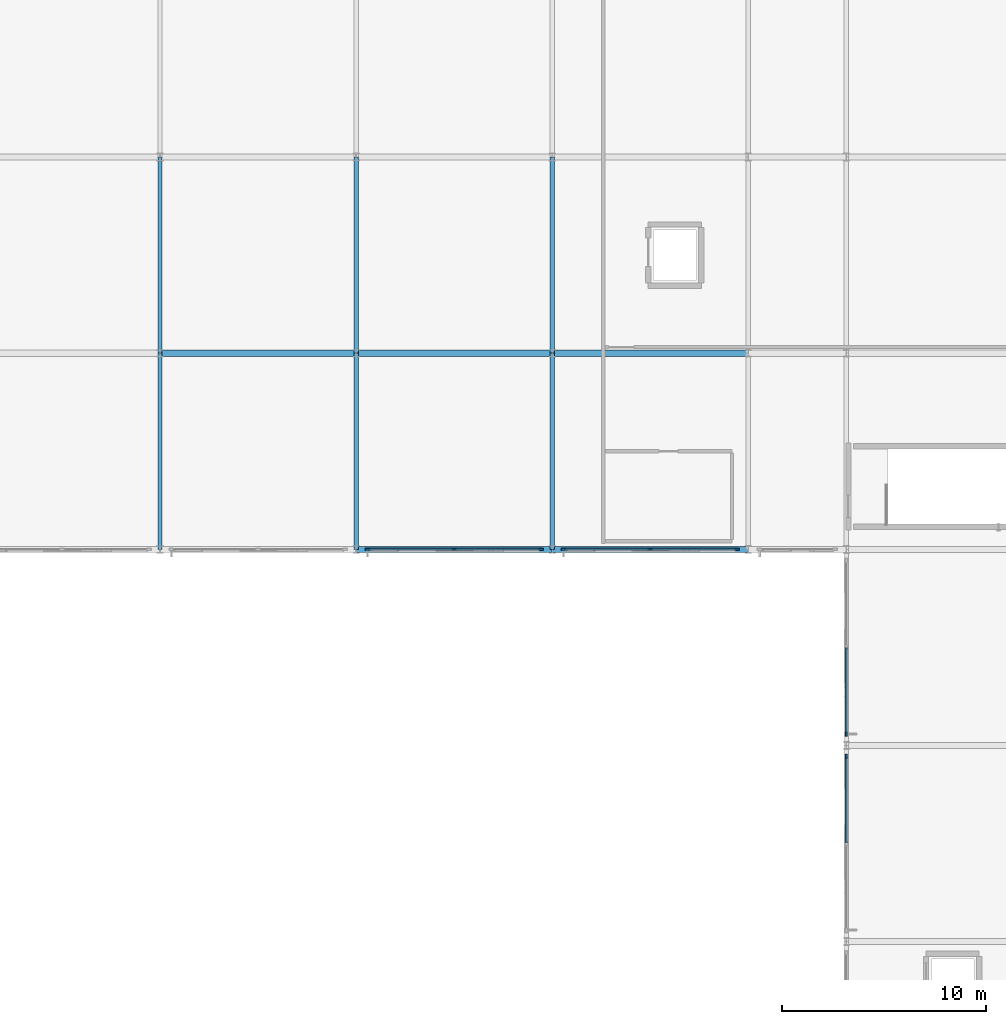
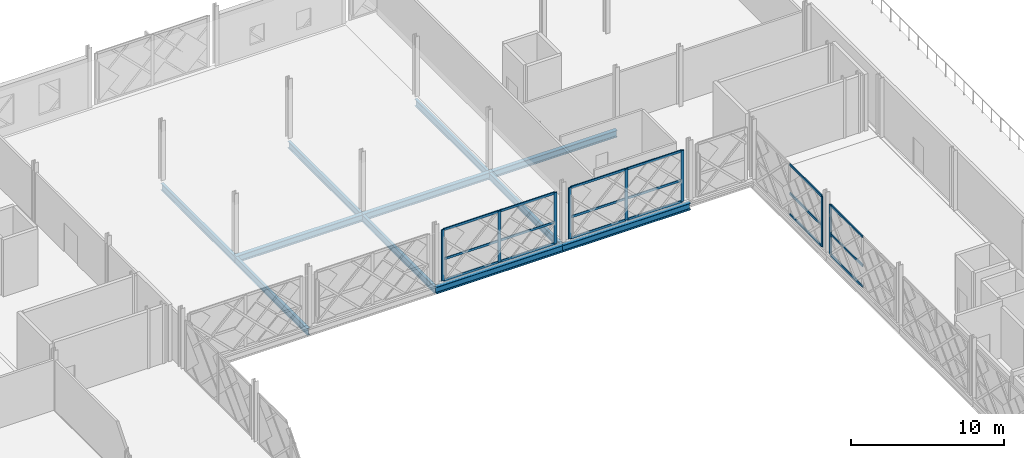
# One storey, part 29 of 77: 26 members, 11 beams, 4 elements without a shape of their own.
"""IFC4 building model written with IfcOpenShell, lengths in metres."""

import ifcopenshell
import ifcopenshell.guid

model = None  # the IFC model being written
_history = None  # IfcOwnerHistory: only IFC2X3 demands one
_inside = {}  # id of a spatial element -> (the spatial element, [elements in it])
_under = {}  # id of a project, library or spatial element -> (it, [spatial elements below it])
_declared = {}  # id of a project -> (the project, [libraries it declares])
_typed = {}  # id of a type object -> (the type object, [elements of that type])
_made_of = {}  # id of a material, layer set ... -> (it, [elements and type objects made of it])


def new_model(schema):
    """Start an empty IFC model of exactly this schema.

    Asked for "IFC4X3", IfcOpenShell would pick the latest addendum, in which some entities
    have other attributes; the version numbers below select the first issue.
    IFC2X3 requires an IfcOwnerHistory on every rooted entity: one is made here for all.
    """
    global model, _history
    if schema == "IFC4X3":
        model = ifcopenshell.file(schema_version=(4, 3, 0, 0))
    else:
        model = ifcopenshell.file(schema=schema)
    _inside.clear()
    _under.clear()
    _declared.clear()
    _typed.clear()
    _made_of.clear()
    _history = None
    if model.schema == "IFC2X3":
        org = make("IfcOrganization", Name="unknown")
        user = make(
            "IfcPersonAndOrganization",
            ThePerson=make("IfcPerson", FamilyName="unknown"),
            TheOrganization=org,
        )
        app = make(
            "IfcApplication",
            ApplicationDeveloper=org,
            Version="unknown",
            ApplicationFullName="unknown",
            ApplicationIdentifier="unknown",
        )
        _history = make(
            "IfcOwnerHistory",
            OwningUser=user,
            OwningApplication=app,
            ChangeAction="ADDED",
            CreationDate=0,
        )
    return model


def make(cls, **values):
    """One entity of the class cls with the attributes given. An attribute that is None is left unset."""
    return model.create_entity(
        cls, **{name: value for name, value in values.items() if value is not None}
    )


def rooted(cls, **values):
    """An entity with a GlobalId (a new one), such as an element, a storey or a relation."""
    return make(cls, GlobalId=ifcopenshell.guid.new(), OwnerHistory=_history, **values)


def si_unit(unit_type, name, prefix=None):
    """IfcSIUnit, for example si_unit("LENGTHUNIT", "METRE", prefix="MILLI")."""
    return make("IfcSIUnit", UnitType=unit_type, Prefix=prefix, Name=name)


def assignment(units):
    """IfcUnitAssignment: the units of a project."""
    return None if units is None else make("IfcUnitAssignment", Units=units)


def point(xyz):
    """IfcCartesianPoint."""
    return None if xyz is None else make("IfcCartesianPoint", Coordinates=xyz)


def direction(xyz):
    """IfcDirection."""
    return None if xyz is None else make("IfcDirection", DirectionRatios=xyz)


def frame(location, z_axis=None, x_axis=None):
    """IfcAxis2Placement3D, a coordinate frame: its origin and axes. An axis left out is left unset."""
    return make(
        "IfcAxis2Placement3D",
        Location=point(location),
        Axis=direction(z_axis),
        RefDirection=direction(x_axis),
    )


def frame_2d(location, x_axis=None):
    """IfcAxis2Placement2D, a coordinate frame in the plane: its origin and x axis."""
    return make(
        "IfcAxis2Placement2D", Location=point(location), RefDirection=direction(x_axis)
    )


def origin():
    """The frame at (0, 0, 0) with its axes left unset."""
    return frame((0.0, 0.0, 0.0))


def origin_2d():
    """The frame at (0, 0) in the plane with its x axis left unset."""
    return frame_2d((0.0, 0.0))


def place(relative_to, where):
    """IfcLocalPlacement: puts the frame where relative to a parent placement (None: the world)."""
    return make(
        "IfcLocalPlacement", PlacementRelTo=relative_to, RelativePlacement=where
    )


def context(
    kind, dimensions, precision=None, world=None, true_north=None, identifier=None
):
    """IfcGeometricRepresentationContext, for example the 3D "Model" context."""
    return make(
        "IfcGeometricRepresentationContext",
        ContextIdentifier=identifier,
        ContextType=kind,
        CoordinateSpaceDimension=dimensions,
        Precision=precision,
        WorldCoordinateSystem=world,
        TrueNorth=true_north,
    )


def subcontext(parent, identifier, kind, view, scale=None):
    """IfcGeometricRepresentationSubContext, for example "Body" below "Model"."""
    return make(
        "IfcGeometricRepresentationSubContext",
        ContextIdentifier=identifier,
        ContextType=kind,
        ParentContext=parent,
        TargetScale=scale,
        TargetView=view,
    )


def project(units=None, contexts=None):
    """IfcProject with its units and contexts."""
    return rooted(
        "IfcProject",
        Name="project",
        RepresentationContexts=contexts,
        UnitsInContext=assignment(units),
    )


def spatial(cls, under=None, at=None, **own):
    """A site, building, storey or space (cls), placed at a placement, below another one or the project."""
    s = rooted(cls, ObjectPlacement=at, **own)
    if under is not None:
        _under.setdefault(under.id(), (under, []))[1].append(s)
    return s


def profile(cls, at=None, kind="AREA", **sizes):
    """A parametric profile (cls). Its sizes go by their IFC names, for example OverallWidth=200.0."""
    return make(cls, ProfileType=kind, Position=at, **sizes)


def rectangle(**sizes):
    """IfcRectangleProfileDef."""
    return profile("IfcRectangleProfileDef", **sizes)


def i_section(**sizes):
    """IfcIShapeProfileDef."""
    return profile("IfcIShapeProfileDef", **sizes)


def extrude(swept, where, along, depth):
    """IfcExtrudedAreaSolid: the profile swept, set in the frame where, extruded along a direction by depth."""
    return make(
        "IfcExtrudedAreaSolid",
        SweptArea=swept,
        Position=where,
        ExtrudedDirection=direction(along),
        Depth=depth,
    )


def shape(context_of_items, identifier, shape_type, items):
    """IfcShapeRepresentation: the items that make up one representation, for example the "Body"."""
    return make(
        "IfcShapeRepresentation",
        ContextOfItems=context_of_items,
        RepresentationIdentifier=identifier,
        RepresentationType=shape_type,
        Items=items,
    )


def material(Name=None, Category=None):
    """IfcMaterial."""
    return make("IfcMaterial", Name=Name, Category=Category)


def layer(
    of_material, thickness, ventilated=None, Name=None, Category=None, Priority=None
):
    """IfcMaterialLayer: one layer of a wall or slab, of a material (None: an air gap)."""
    return make(
        "IfcMaterialLayer",
        Material=of_material,
        LayerThickness=thickness,
        IsVentilated=ventilated,
        Name=Name,
        Category=Category,
        Priority=Priority,
    )


def layer_set(layers, Name=None):
    """IfcMaterialLayerSet."""
    return make("IfcMaterialLayerSet", MaterialLayers=layers, LayerSetName=Name)


def material_profile(
    of_material, cross_section, Name=None, Category=None, Priority=None
):
    """IfcMaterialProfile: a cross section and its material."""
    return make(
        "IfcMaterialProfile",
        Name=Name,
        Material=of_material,
        Profile=cross_section,
        Priority=Priority,
        Category=Category,
    )


def profile_set(profiles, Name=None, composite=None):
    """IfcMaterialProfileSet."""
    return make(
        "IfcMaterialProfileSet",
        Name=Name,
        MaterialProfiles=profiles,
        CompositeProfile=composite,
    )


def made_of(thing, what):
    """Note that an element or type object is made of a material, layer set ...; save() writes the relation."""
    if what is not None:
        _made_of.setdefault(what.id(), (what, []))[1].append(thing)
    return thing


def type_object(cls, material=None, **own):
    """A type object (cls), such as IfcWallType, which elements share."""
    return made_of(rooted(cls, **own), material)


def element(
    cls,
    number,
    at=None,
    inside=None,
    cuts=None,
    type_object=None,
    material=None,
    context=None,
    identifier="Body",
    shape_type=None,
    held_by="IfcProductDefinitionShape",
    body=None,
    shapes=None,
    **own,
):
    """One element of the class cls, such as IfcWall. Its Tag is "e" and its number.

    at: its placement. inside: the storey or other place that contains it. cuts: it is an
    opening in that element (IfcRelVoidsElement). A single representation is given by context,
    identifier, shape_type and body (its items); several are given by shapes. held_by: the class
    of the entity that holds the representations. save() writes the other relations.
    """
    e = rooted(cls, Tag="e%d" % number, ObjectPlacement=at, **own)
    if body is not None:
        shapes = [shape(context, identifier, shape_type, body)]
    if shapes is not None:
        e.Representation = make(held_by, Representations=shapes)
    if inside is not None:
        _inside.setdefault(inside.id(), (inside, []))[1].append(e)
    if cuts is not None:
        rooted(
            "IfcRelVoidsElement", RelatingBuildingElement=cuts, RelatedOpeningElement=e
        )
    if type_object is not None:
        _typed.setdefault(type_object.id(), (type_object, []))[1].append(e)
    return made_of(e, material)


def aggregate(whole, parts):
    """IfcRelAggregates: a whole, such as a stair, and the parts it consists of."""
    return rooted("IfcRelAggregates", RelatingObject=whole, RelatedObjects=parts)


def save(model, path):
    """Write the relations noted so far, then the file.

    IfcRelAggregates (storeys below a building ...), IfcRelContainedInSpatialStructure (elements
    in a storey), IfcRelDefinesByType, IfcRelAssociatesMaterial and IfcRelDeclares: one each for
    every whole, place, type object, material and project.
    """
    for whole, parts in _under.values():
        aggregate(whole, parts)
    for where, things in _inside.values():
        rooted(
            "IfcRelContainedInSpatialStructure",
            RelatedElements=things,
            RelatingStructure=where,
        )
    for kind, things in _typed.values():
        rooted("IfcRelDefinesByType", RelatedObjects=things, RelatingType=kind)
    for what, things in _made_of.values():
        rooted("IfcRelAssociatesMaterial", RelatedObjects=things, RelatingMaterial=what)
    for by, libraries in _declared.values():
        rooted("IfcRelDeclares", RelatingContext=by, RelatedDefinitions=libraries)
    model.write(path)


model = new_model("IFC4")

# Units and contexts
model_context = context("Model", 3, precision=1e-05, world=origin(), true_north=direction((0.0, 1.0)))
body_context = subcontext(model_context, "Body", "Model", "MODEL_VIEW")
ifc_project = project(units=[si_unit("LENGTHUNIT", "METRE"), si_unit("AREAUNIT", "SQUARE_METRE"), si_unit("VOLUMEUNIT", "CUBIC_METRE"), si_unit("PLANEANGLEUNIT", "RADIAN"), si_unit("MASSUNIT", "GRAM", prefix="KILO")], contexts=[model_context])

# Site, building, storey
site_placement = place(None, origin())
site = spatial("IfcSite", under=ifc_project, at=site_placement, CompositionType="ELEMENT")
building_placement = place(site_placement, origin())
building = spatial("IfcBuilding", under=site, at=building_placement, Name="Zevrakil Square Congress Hotel", CompositionType="ELEMENT")
storey_placement = place(building_placement, frame((0.0, 0.0, 9.89990234375)))
storey = spatial("IfcBuildingStorey", under=building, at=storey_placement, Name="L03", CompositionType="ELEMENT", Elevation=9.89990234375)

# Beams
ifc_material_1 = material(Name="Steel S355", Category="steel")
ifc_material_profile_1 = material_profile(ifc_material_1, i_section(OverallWidth=0.300048828125, OverallDepth=0.5400390625, WebThickness=0.012451171875, FlangeThickness=0.02392578125, FilletRadius=0.027099609375, at=origin_2d()), Name="HEA 550")
ifc_profile_set_1 = profile_set([ifc_material_profile_1], Name="Steel S355")
beam_type_1 = type_object("IfcBeamType", Name="BM-HEA550", PredefinedType="BEAM", material=ifc_profile_set_1)
beam_1_placement = place(storey_placement, frame((84.0, 84.0, -0.52978515625), z_axis=(1.0, 0.0, 0.0), x_axis=(0.0, 1.0, 0.0)))
element("IfcBeam", 1, at=beam_1_placement, inside=storey, type_object=beam_type_1, Name="L03 primary girder BX-1052", PredefinedType="BEAM", context=body_context, shape_type="SweptSolid", body=[
    extrude(i_section(OverallWidth=0.300048828125, OverallDepth=0.5400390625, WebThickness=0.012451171875, FlangeThickness=0.02392578125, FilletRadius=0.027099609375, at=origin_2d()), origin(), (0.0, 0.0, 1.0), 9.60009765625),
])
beam_2_placement = place(storey_placement, frame((93.60009765625, 84.0, -0.52978515625), z_axis=(1.0, 0.0, 0.0), x_axis=(0.0, 1.0, 0.0)))
element("IfcBeam", 2, at=beam_2_placement, inside=storey, type_object=beam_type_1, Name="L03 primary girder BX-1053", PredefinedType="BEAM", context=body_context, shape_type="SweptSolid", body=[
    extrude(i_section(OverallWidth=0.300048828125, OverallDepth=0.5400390625, WebThickness=0.012451171875, FlangeThickness=0.02392578125, FilletRadius=0.027099609375, at=origin_2d()), origin(), (0.0, 0.0, 1.0), 9.599853515625),
])
for number, where, z_axis, x_axis, name in (
    (3, (74.39990234375, 93.60009765625, -0.52978515625), (1.0, 0.0, 0.0), (0.0, 1.0, 0.0), "L03 primary girder BX-1059"),
    (4, (84.0, 93.60009765625, -0.52978515625), (1.0, 0.0, 0.0), (0.0, 1.0, 0.0), "L03 primary girder BX-1060"),
):
    element("IfcBeam", number, at=place(storey_placement, frame(where, z_axis=z_axis, x_axis=x_axis)), inside=storey, type_object=beam_type_1, Name=name, PredefinedType="BEAM", context=body_context, shape_type="SweptSolid", body=[
        extrude(i_section(OverallWidth=0.300048828125, OverallDepth=0.5400390625, WebThickness=0.012451171875, FlangeThickness=0.02392578125, FilletRadius=0.027099609375, at=origin_2d()), origin(), (0.0, 0.0, 1.0), 9.60009765625),
    ])
beam_3_placement = place(storey_placement, frame((93.60009765625, 93.60009765625, -0.52978515625), z_axis=(1.0, 0.0, 0.0), x_axis=(0.0, 1.0, 0.0)))
element("IfcBeam", 5, at=beam_3_placement, inside=storey, type_object=beam_type_1, Name="L03 primary girder BX-1061", PredefinedType="BEAM", context=body_context, shape_type="SweptSolid", body=[
    extrude(i_section(OverallWidth=0.300048828125, OverallDepth=0.5400390625, WebThickness=0.012451171875, FlangeThickness=0.02392578125, FilletRadius=0.027099609375, at=origin_2d()), origin(), (0.0, 0.0, 1.0), 9.599853515625),
])
ifc_material_2 = material(Name="Steel S355", Category="steel")
ifc_material_profile_2 = material_profile(ifc_material_2, i_section(OverallWidth=0.2099609375, OverallDepth=0.550048828125, WebThickness=0.010986328125, FlangeThickness=0.01708984375, FilletRadius=0.02392578125, at=origin_2d()), Name="IPE 550")
ifc_profile_set_2 = profile_set([ifc_material_profile_2], Name="Steel S355")
beam_type_2 = type_object("IfcBeamType", Name="BM-IPE550", PredefinedType="BEAM", material=ifc_profile_set_2)
beam_4_placement = place(storey_placement, frame((74.39990234375, 84.0, -0.534912109375), z_axis=(0.0, 1.0, 0.0), x_axis=(-1.0, 0.0, 0.0)))
element("IfcBeam", 6, at=beam_4_placement, inside=storey, type_object=beam_type_2, Name="L03 primary girder BY-1126", PredefinedType="BEAM", context=body_context, shape_type="SweptSolid", body=[
    extrude(i_section(OverallWidth=0.2099609375, OverallDepth=0.550048828125, WebThickness=0.010986328125, FlangeThickness=0.01708984375, FilletRadius=0.02392578125, at=origin_2d()), origin(), (0.0, 0.0, 1.0), 9.60009765625),
])
beam_5_placement = place(storey_placement, frame((74.39990234375, 93.60009765625, -0.534912109375), z_axis=(0.0, 1.0, 0.0), x_axis=(-1.0, 0.0, 0.0)))
element("IfcBeam", 7, at=beam_5_placement, inside=storey, type_object=beam_type_2, Name="L03 primary girder BY-1127", PredefinedType="BEAM", context=body_context, shape_type="SweptSolid", body=[
    extrude(i_section(OverallWidth=0.2099609375, OverallDepth=0.550048828125, WebThickness=0.010986328125, FlangeThickness=0.01708984375, FilletRadius=0.02392578125, at=origin_2d()), origin(), (0.0, 0.0, 1.0), 9.599853515625),
])
beam_6_placement = place(storey_placement, frame((84.0, 84.0, -0.534912109375), z_axis=(0.0, 1.0, 0.0), x_axis=(-1.0, 0.0, 0.0)))
element("IfcBeam", 8, at=beam_6_placement, inside=storey, type_object=beam_type_2, Name="L03 primary girder BY-1133", PredefinedType="BEAM", context=body_context, shape_type="SweptSolid", body=[
    extrude(i_section(OverallWidth=0.2099609375, OverallDepth=0.550048828125, WebThickness=0.010986328125, FlangeThickness=0.01708984375, FilletRadius=0.02392578125, at=origin_2d()), origin(), (0.0, 0.0, 1.0), 9.60009765625),
])
beam_7_placement = place(storey_placement, frame((84.0, 93.60009765625, -0.534912109375), z_axis=(0.0, 1.0, 0.0), x_axis=(-1.0, 0.0, 0.0)))
element("IfcBeam", 9, at=beam_7_placement, inside=storey, type_object=beam_type_2, Name="L03 primary girder BY-1134", PredefinedType="BEAM", context=body_context, shape_type="SweptSolid", body=[
    extrude(i_section(OverallWidth=0.2099609375, OverallDepth=0.550048828125, WebThickness=0.010986328125, FlangeThickness=0.01708984375, FilletRadius=0.02392578125, at=origin_2d()), origin(), (0.0, 0.0, 1.0), 9.599853515625),
])
beam_8_placement = place(storey_placement, frame((93.60009765625, 84.0, -0.534912109375), z_axis=(0.0, 1.0, 0.0), x_axis=(-1.0, 0.0, 0.0)))
element("IfcBeam", 10, at=beam_8_placement, inside=storey, type_object=beam_type_2, Name="L03 primary girder BY-1140", PredefinedType="BEAM", context=body_context, shape_type="SweptSolid", body=[
    extrude(i_section(OverallWidth=0.2099609375, OverallDepth=0.550048828125, WebThickness=0.010986328125, FlangeThickness=0.01708984375, FilletRadius=0.02392578125, at=origin_2d()), origin(), (0.0, 0.0, 1.0), 9.60009765625),
])
beam_9_placement = place(storey_placement, frame((93.60009765625, 93.60009765625, -0.534912109375), z_axis=(0.0, 1.0, 0.0), x_axis=(-1.0, 0.0, 0.0)))
element("IfcBeam", 11, at=beam_9_placement, inside=storey, type_object=beam_type_2, Name="L03 primary girder BY-1141", PredefinedType="BEAM", context=body_context, shape_type="SweptSolid", body=[
    extrude(i_section(OverallWidth=0.2099609375, OverallDepth=0.550048828125, WebThickness=0.010986328125, FlangeThickness=0.01708984375, FilletRadius=0.02392578125, at=origin_2d()), origin(), (0.0, 0.0, 1.0), 9.599853515625),
])

# Curtain wall, members
ifc_material_3 = material(Name="Aluminium Anodised Bronze", Category="aluminium")
ifc_layer = layer(ifc_material_3, 0.179931640625)
ifc_layer_set = layer_set([ifc_layer], Name="Aluminium Anodised Bronze")
curtain_wall_type = type_object("IfcCurtainWallType", Name="CW-L03-840", PredefinedType="USERDEFINED", material=ifc_layer_set)
curtain_wall_1_placement = place(storey_placement, origin())
curtain_wall_1 = element("IfcCurtainWall", 12, at=curtain_wall_1_placement, inside=storey, type_object=curtain_wall_type, Name="L03 diamond curtain wall CW-L03-0110", ObjectType="GLAZED CURTAIN WALL", PredefinedType="USERDEFINED")
ifc_material_4 = material(Name="Aluminium Anodised Bronze", Category="aluminium")
ifc_material_profile_3 = material_profile(ifc_material_4, rectangle(XDim=0.0849609375, YDim=0.179931640625, at=origin_2d()), Name="ALU 85x180")
ifc_profile_set_3 = profile_set([ifc_material_profile_3], Name="Aluminium Anodised Bronze")
member_type_1 = type_object("IfcMemberType", Name="CWM-ALU85x180", PredefinedType="USERDEFINED", material=ifc_profile_set_3)
member_1_placement = place(storey_placement, frame((84.580078125, 84.0, 0.030029296875), z_axis=(1.0, 0.0, 0.0), x_axis=(0.0, 1.0, 0.0)))
member_1 = element("IfcMember", 13, at=member_1_placement, type_object=member_type_1, Name="CW-35 transom 1.1", ObjectType="TRANSOM", PredefinedType="USERDEFINED", context=body_context, shape_type="SweptSolid", body=[
    extrude(rectangle(XDim=0.0849609375, YDim=0.179931640625, at=origin_2d()), origin(), (0.0, 0.0, 1.0), 4.18994140625),
])
member_2_placement = place(storey_placement, frame((84.580078125, 84.0, 1.7158203125), z_axis=(1.0, 0.0, 0.0), x_axis=(0.0, 1.0, 0.0)))
member_2 = element("IfcMember", 14, at=member_2_placement, type_object=member_type_1, Name="CW-35 transom 1.2", ObjectType="TRANSOM", PredefinedType="USERDEFINED", context=body_context, shape_type="SweptSolid", body=[
    extrude(rectangle(XDim=0.0849609375, YDim=0.179931640625, at=origin_2d()), origin(), (0.0, 0.0, 1.0), 4.18994140625),
])
member_3_placement = place(storey_placement, frame((84.580078125, 84.0, 4.05517578125), z_axis=(1.0, 0.0, 0.0), x_axis=(0.0, 1.0, 0.0)))
member_3 = element("IfcMember", 15, at=member_3_placement, type_object=member_type_1, Name="CW-35 transom 1.3", ObjectType="TRANSOM", PredefinedType="USERDEFINED", context=body_context, shape_type="SweptSolid", body=[
    extrude(rectangle(XDim=0.0849609375, YDim=0.179931640625, at=origin_2d()), origin(), (0.0, 0.0, 1.0), 4.18994140625),
])
member_4_placement = place(storey_placement, frame((88.830078125, 84.0, 0.030029296875), z_axis=(1.0, 0.0, 0.0), x_axis=(0.0, 1.0, 0.0)))
member_4 = element("IfcMember", 16, at=member_4_placement, type_object=member_type_1, Name="CW-35 transom 2.1", ObjectType="TRANSOM", PredefinedType="USERDEFINED", context=body_context, shape_type="SweptSolid", body=[
    extrude(rectangle(XDim=0.0849609375, YDim=0.179931640625, at=origin_2d()), origin(), (0.0, 0.0, 1.0), 4.18994140625),
])
member_5_placement = place(storey_placement, frame((88.830078125, 84.0, 1.7158203125), z_axis=(1.0, 0.0, 0.0), x_axis=(0.0, 1.0, 0.0)))
member_5 = element("IfcMember", 17, at=member_5_placement, type_object=member_type_1, Name="CW-35 transom 2.2", ObjectType="TRANSOM", PredefinedType="USERDEFINED", context=body_context, shape_type="SweptSolid", body=[
    extrude(rectangle(XDim=0.0849609375, YDim=0.179931640625, at=origin_2d()), origin(), (0.0, 0.0, 1.0), 4.18994140625),
])
member_6_placement = place(storey_placement, frame((88.830078125, 84.0, 4.05517578125), z_axis=(1.0, 0.0, 0.0), x_axis=(0.0, 1.0, 0.0)))
member_6 = element("IfcMember", 18, at=member_6_placement, type_object=member_type_1, Name="CW-35 transom 2.3", ObjectType="TRANSOM", PredefinedType="USERDEFINED", context=body_context, shape_type="SweptSolid", body=[
    extrude(rectangle(XDim=0.0849609375, YDim=0.179931640625, at=origin_2d()), origin(), (0.0, 0.0, 1.0), 4.18994140625),
])

curtain_wall_2_placement = place(storey_placement, origin())
curtain_wall_2 = element("IfcCurtainWall", 19, at=curtain_wall_2_placement, inside=storey, type_object=curtain_wall_type, Name="L03 diamond curtain wall CW-L03-0114", ObjectType="GLAZED CURTAIN WALL", PredefinedType="USERDEFINED")
member_7_placement = place(storey_placement, frame((94.179931640625, 84.0, 0.030029296875), z_axis=(1.0, 0.0, 0.0), x_axis=(0.0, 1.0, 0.0)))
member_7 = element("IfcMember", 20, at=member_7_placement, type_object=member_type_1, Name="CW-35 transom 1.1", ObjectType="TRANSOM", PredefinedType="USERDEFINED", context=body_context, shape_type="SweptSolid", body=[
    extrude(rectangle(XDim=0.0849609375, YDim=0.179931640625, at=origin_2d()), origin(), (0.0, 0.0, 1.0), 4.190185546875),
])
member_8_placement = place(storey_placement, frame((94.179931640625, 84.0, 1.7158203125), z_axis=(1.0, 0.0, 0.0), x_axis=(0.0, 1.0, 0.0)))
member_8 = element("IfcMember", 21, at=member_8_placement, type_object=member_type_1, Name="CW-35 transom 1.2", ObjectType="TRANSOM", PredefinedType="USERDEFINED", context=body_context, shape_type="SweptSolid", body=[
    extrude(rectangle(XDim=0.0849609375, YDim=0.179931640625, at=origin_2d()), origin(), (0.0, 0.0, 1.0), 4.190185546875),
])
member_9_placement = place(storey_placement, frame((94.179931640625, 84.0, 4.05517578125), z_axis=(1.0, 0.0, 0.0), x_axis=(0.0, 1.0, 0.0)))
member_9 = element("IfcMember", 22, at=member_9_placement, type_object=member_type_1, Name="CW-35 transom 1.3", ObjectType="TRANSOM", PredefinedType="USERDEFINED", context=body_context, shape_type="SweptSolid", body=[
    extrude(rectangle(XDim=0.0849609375, YDim=0.179931640625, at=origin_2d()), origin(), (0.0, 0.0, 1.0), 4.190185546875),
])
member_10_placement = place(storey_placement, frame((98.429931640625, 84.0, 0.030029296875), z_axis=(1.0, 0.0, 0.0), x_axis=(0.0, 1.0, 0.0)))
member_10 = element("IfcMember", 23, at=member_10_placement, type_object=member_type_1, Name="CW-35 transom 2.1", ObjectType="TRANSOM", PredefinedType="USERDEFINED", context=body_context, shape_type="SweptSolid", body=[
    extrude(rectangle(XDim=0.0849609375, YDim=0.179931640625, at=origin_2d()), origin(), (0.0, 0.0, 1.0), 4.190185546875),
])
member_11_placement = place(storey_placement, frame((98.429931640625, 84.0, 1.7158203125), z_axis=(1.0, 0.0, 0.0), x_axis=(0.0, 1.0, 0.0)))
member_11 = element("IfcMember", 24, at=member_11_placement, type_object=member_type_1, Name="CW-35 transom 2.2", ObjectType="TRANSOM", PredefinedType="USERDEFINED", context=body_context, shape_type="SweptSolid", body=[
    extrude(rectangle(XDim=0.0849609375, YDim=0.179931640625, at=origin_2d()), origin(), (0.0, 0.0, 1.0), 4.190185546875),
])
member_12_placement = place(storey_placement, frame((98.429931640625, 84.0, 4.05517578125), z_axis=(1.0, 0.0, 0.0), x_axis=(0.0, 1.0, 0.0)))
member_12 = element("IfcMember", 25, at=member_12_placement, type_object=member_type_1, Name="CW-35 transom 2.3", ObjectType="TRANSOM", PredefinedType="USERDEFINED", context=body_context, shape_type="SweptSolid", body=[
    extrude(rectangle(XDim=0.0849609375, YDim=0.179931640625, at=origin_2d()), origin(), (0.0, 0.0, 1.0), 4.190185546875),
])

curtain_wall_3_placement = place(storey_placement, origin())
curtain_wall_3 = element("IfcCurtainWall", 26, at=curtain_wall_3_placement, inside=storey, type_object=curtain_wall_type, Name="L03 diamond curtain wall CW-L03-0136", ObjectType="GLAZED CURTAIN WALL", PredefinedType="USERDEFINED")
member_13_placement = place(storey_placement, frame((108.0, 69.6298828125, 0.030029296875), z_axis=(0.0, 1.0, 0.0), x_axis=(-1.0, 0.0, 0.0)))
member_13 = element("IfcMember", 27, at=member_13_placement, type_object=member_type_1, Name="CW-35 transom 2.1", ObjectType="TRANSOM", PredefinedType="USERDEFINED", context=body_context, shape_type="SweptSolid", body=[
    extrude(rectangle(XDim=0.0849609375, YDim=0.179931640625, at=origin_2d()), origin(), (0.0, 0.0, 1.0), 4.190185546875),
])
member_14_placement = place(storey_placement, frame((108.0, 69.6298828125, 1.690673828125), z_axis=(0.0, 1.0, 0.0), x_axis=(-1.0, 0.0, 0.0)))
member_14 = element("IfcMember", 28, at=member_14_placement, type_object=member_type_1, Name="CW-35 transom 2.2", ObjectType="TRANSOM", PredefinedType="USERDEFINED", context=body_context, shape_type="SweptSolid", body=[
    extrude(rectangle(XDim=0.0849609375, YDim=0.179931640625, at=origin_2d()), origin(), (0.0, 0.0, 1.0), 4.190185546875),
])
member_15_placement = place(storey_placement, frame((108.0, 69.6298828125, 3.9951171875), z_axis=(0.0, 1.0, 0.0), x_axis=(-1.0, 0.0, 0.0)))
member_15 = element("IfcMember", 29, at=member_15_placement, type_object=member_type_1, Name="CW-35 transom 2.3", ObjectType="TRANSOM", PredefinedType="USERDEFINED", context=body_context, shape_type="SweptSolid", body=[
    extrude(rectangle(XDim=0.0849609375, YDim=0.179931640625, at=origin_2d()), origin(), (0.0, 0.0, 1.0), 4.190185546875),
])

curtain_wall_4_placement = place(storey_placement, origin())
curtain_wall_4 = element("IfcCurtainWall", 30, at=curtain_wall_4_placement, inside=storey, type_object=curtain_wall_type, Name="L03 diamond curtain wall CW-L03-0142", ObjectType="GLAZED CURTAIN WALL", PredefinedType="USERDEFINED")
member_16_placement = place(storey_placement, frame((108.0, 74.97998046875, 0.030029296875), z_axis=(0.0, 1.0, 0.0), x_axis=(-1.0, 0.0, 0.0)))
member_16 = element("IfcMember", 31, at=member_16_placement, type_object=member_type_1, Name="CW-35 transom 1.1", ObjectType="TRANSOM", PredefinedType="USERDEFINED", context=body_context, shape_type="SweptSolid", body=[
    extrude(rectangle(XDim=0.0849609375, YDim=0.179931640625, at=origin_2d()), origin(), (0.0, 0.0, 1.0), 4.18994140625),
])
member_17_placement = place(storey_placement, frame((108.0, 74.97998046875, 1.690673828125), z_axis=(0.0, 1.0, 0.0), x_axis=(-1.0, 0.0, 0.0)))
member_17 = element("IfcMember", 32, at=member_17_placement, type_object=member_type_1, Name="CW-35 transom 1.2", ObjectType="TRANSOM", PredefinedType="USERDEFINED", context=body_context, shape_type="SweptSolid", body=[
    extrude(rectangle(XDim=0.0849609375, YDim=0.179931640625, at=origin_2d()), origin(), (0.0, 0.0, 1.0), 4.18994140625),
])
member_18_placement = place(storey_placement, frame((108.0, 74.97998046875, 3.9951171875), z_axis=(0.0, 1.0, 0.0), x_axis=(-1.0, 0.0, 0.0)))
member_18 = element("IfcMember", 33, at=member_18_placement, type_object=member_type_1, Name="CW-35 transom 1.3", ObjectType="TRANSOM", PredefinedType="USERDEFINED", context=body_context, shape_type="SweptSolid", body=[
    extrude(rectangle(XDim=0.0849609375, YDim=0.179931640625, at=origin_2d()), origin(), (0.0, 0.0, 1.0), 4.18994140625),
])

# Member
ifc_material_5 = material(Name="Aluminium Anodised Bronze", Category="aluminium")
ifc_material_profile_4 = material_profile(ifc_material_5, rectangle(XDim=0.0849609375, YDim=0.219970703125, at=origin_2d()), Name="ALU 85x220")
ifc_profile_set_4 = profile_set([ifc_material_profile_4], Name="Aluminium Anodised Bronze")
member_type_2 = type_object("IfcMemberType", Name="CWM-ALU85x220", PredefinedType="MULLION", material=ifc_profile_set_4)
member_19_placement = place(storey_placement, frame((84.550048828125, 84.0, 0.0), z_axis=(0.0, 0.0, 1.0), x_axis=(0.0, 1.0, 0.0)))
member_19 = element("IfcMember", 34, at=member_19_placement, type_object=member_type_2, Name="CW-35 mullion 1", PredefinedType="MULLION", context=body_context, shape_type="SweptSolid", body=[
    extrude(rectangle(XDim=0.0849609375, YDim=0.219970703125, at=origin_2d()), origin(), (0.0, 0.0, 1.0), 4.085205078125),
])

member_20_placement = place(storey_placement, frame((88.800048828125, 84.0, 0.0), z_axis=(0.0, 0.0, 1.0), x_axis=(0.0, 1.0, 0.0)))
member_20 = element("IfcMember", 35, at=member_20_placement, type_object=member_type_2, Name="CW-35 mullion 2", PredefinedType="MULLION", context=body_context, shape_type="SweptSolid", body=[
    extrude(rectangle(XDim=0.0849609375, YDim=0.219970703125, at=origin_2d()), origin(), (0.0, 0.0, 1.0), 4.085205078125),
])

member_21_placement = place(storey_placement, frame((93.050048828125, 84.0, 0.0), z_axis=(0.0, 0.0, 1.0), x_axis=(0.0, 1.0, 0.0)))
member_21 = element("IfcMember", 36, at=member_21_placement, type_object=member_type_2, Name="CW-35 mullion 3", PredefinedType="MULLION", context=body_context, shape_type="SweptSolid", body=[
    extrude(rectangle(XDim=0.0849609375, YDim=0.219970703125, at=origin_2d()), origin(), (0.0, 0.0, 1.0), 4.085205078125),
])

aggregate(curtain_wall_1, [member_19, member_20, member_21, member_1, member_2, member_3, member_4, member_5, member_6])

member_22_placement = place(storey_placement, frame((94.14990234375, 84.0, 0.0), z_axis=(0.0, 0.0, 1.0), x_axis=(0.0, 1.0, 0.0)))
member_22 = element("IfcMember", 37, at=member_22_placement, type_object=member_type_2, Name="CW-35 mullion 1", PredefinedType="MULLION", context=body_context, shape_type="SweptSolid", body=[
    extrude(rectangle(XDim=0.0849609375, YDim=0.219970703125, at=origin_2d()), origin(), (0.0, 0.0, 1.0), 4.085205078125),
])

member_23_placement = place(storey_placement, frame((98.39990234375, 84.0, 0.0), z_axis=(0.0, 0.0, 1.0), x_axis=(0.0, 1.0, 0.0)))
member_23 = element("IfcMember", 38, at=member_23_placement, type_object=member_type_2, Name="CW-35 mullion 2", PredefinedType="MULLION", context=body_context, shape_type="SweptSolid", body=[
    extrude(rectangle(XDim=0.0849609375, YDim=0.219970703125, at=origin_2d()), origin(), (0.0, 0.0, 1.0), 4.085205078125),
])

member_24_placement = place(storey_placement, frame((102.64990234375, 84.0, 0.0), z_axis=(0.0, 0.0, 1.0), x_axis=(0.0, 1.0, 0.0)))
member_24 = element("IfcMember", 39, at=member_24_placement, type_object=member_type_2, Name="CW-35 mullion 3", PredefinedType="MULLION", context=body_context, shape_type="SweptSolid", body=[
    extrude(rectangle(XDim=0.0849609375, YDim=0.219970703125, at=origin_2d()), origin(), (0.0, 0.0, 1.0), 4.085205078125),
])

aggregate(curtain_wall_2, [member_22, member_23, member_24, member_7, member_8, member_9, member_10, member_11, member_12])

member_25_placement = place(storey_placement, frame((108.0, 73.85009765625, 0.0), z_axis=(0.0, 0.0, 1.0), x_axis=(-1.0, 0.0, 0.0)))
member_25 = element("IfcMember", 40, at=member_25_placement, type_object=member_type_2, Name="CW-35 mullion 3", PredefinedType="MULLION", context=body_context, shape_type="SweptSolid", body=[
    extrude(rectangle(XDim=0.0849609375, YDim=0.219970703125, at=origin_2d()), origin(), (0.0, 0.0, 1.0), 4.025146484375),
])

aggregate(curtain_wall_3, [member_25, member_13, member_14, member_15])

member_26_placement = place(storey_placement, frame((108.0, 74.949951171875, 0.0), z_axis=(0.0, 0.0, 1.0), x_axis=(-1.0, 0.0, 0.0)))
member_26 = element("IfcMember", 41, at=member_26_placement, type_object=member_type_2, Name="CW-35 mullion 1", PredefinedType="MULLION", context=body_context, shape_type="SweptSolid", body=[
    extrude(rectangle(XDim=0.0849609375, YDim=0.219970703125, at=origin_2d()), origin(), (0.0, 0.0, 1.0), 4.025146484375),
])

aggregate(curtain_wall_4, [member_26, member_16, member_17, member_18])

save(model, "model.ifc")
